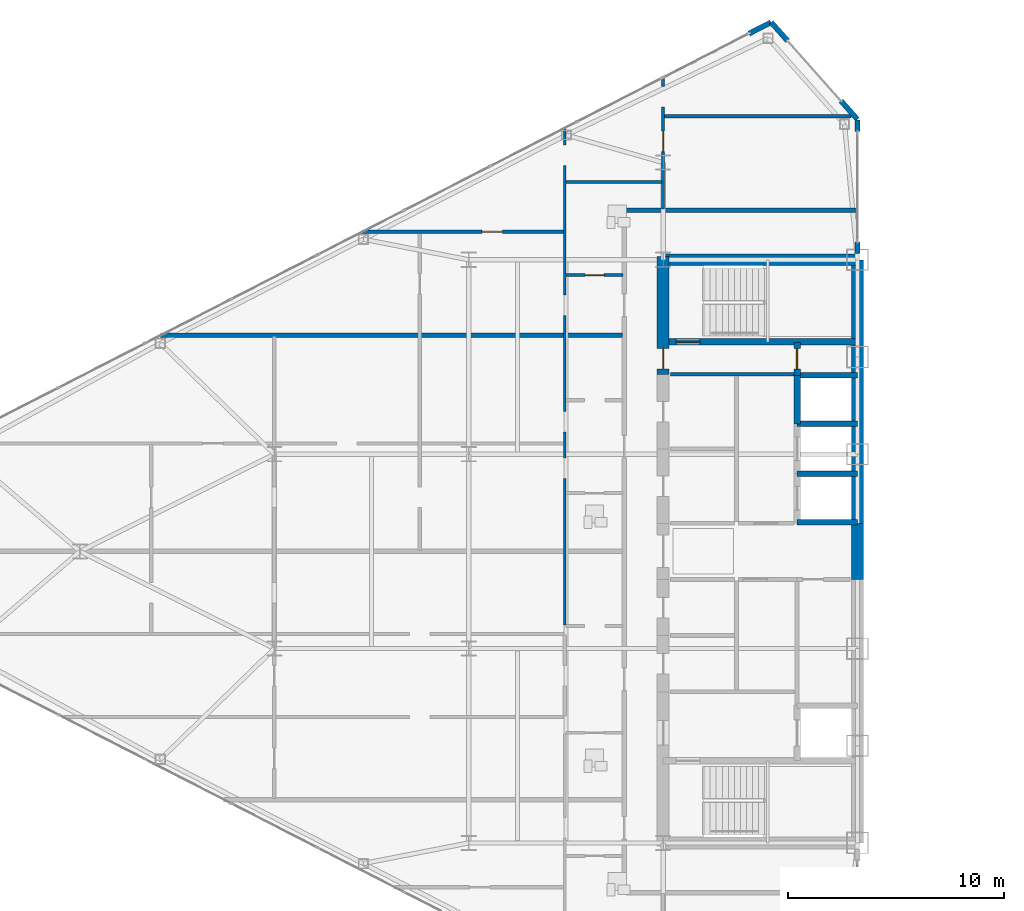
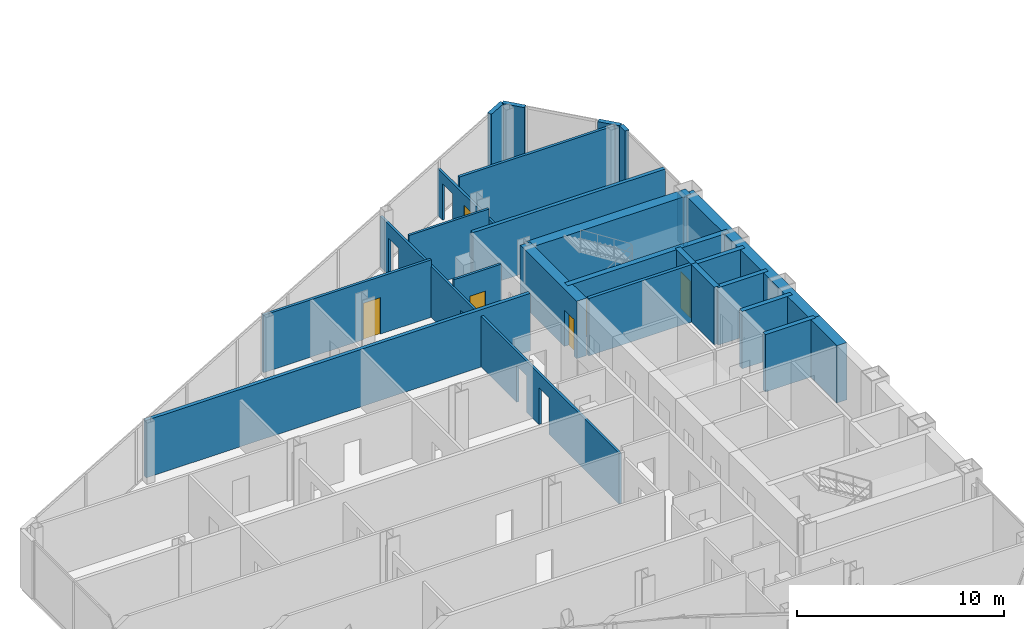
# One storey, part 17 of 23: 25 walls, 6 doors, 11 openings.
"""IFC4 building model written with IfcOpenShell, lengths in metres."""

from ifc_helpers import new_model, si_unit, direction, frame, frame_2d, origin, place, context, subcontext, project, spatial, rectangle, extrude, source, transform, mapped, material, layer, layer_set, type_object, type_shapes, element, fill, save


model = new_model("IFC4")

# Units and contexts
model_context = context("Model", 3, precision=1e-05, world=origin(), true_north=direction((0.0, 1.0)))
body_context = subcontext(model_context, "Body", "Model", "MODEL_VIEW")
ifc_project = project(units=[si_unit("LENGTHUNIT", "METRE"), si_unit("AREAUNIT", "SQUARE_METRE"), si_unit("VOLUMEUNIT", "CUBIC_METRE"), si_unit("PLANEANGLEUNIT", "RADIAN"), si_unit("MASSUNIT", "GRAM", prefix="KILO")], contexts=[model_context])

# Site, building, storey
site_placement = place(None, origin())
site = spatial("IfcSite", under=ifc_project, at=site_placement, CompositionType="ELEMENT")
building_placement = place(site_placement, origin())
building = spatial("IfcBuilding", under=site, at=building_placement, Name="Seokmaru Belvedere", CompositionType="ELEMENT")
storey_placement = place(building_placement, frame((0.0, 0.0, 147.60009765625)))
storey = spatial("IfcBuildingStorey", under=building, at=storey_placement, Name="L39", CompositionType="ELEMENT", Elevation=147.60009765625)

# Wall, opening, door
ifc_material_1 = material(Name="Fire-Rated Gypsum Shaftwall")
ifc_layer_1 = layer(ifc_material_1, 0.14990234375)
ifc_layer_set_1 = layer_set([ifc_layer_1], Name="Fire-Rated Gypsum Shaftwall")
wall_type_1 = type_object("IfcWallType", Name="Apartment Fire-Acoustic Room Partition 150", PredefinedType="PARTITIONING", material=ifc_layer_set_1)
wall_1_placement = place(storey_placement, frame((-50.43798828125, 14.800048828125, 0.0), z_axis=(0.0, 0.0, 1.0), x_axis=(1.0, 0.0, 0.0)))
wall_1 = element("IfcWall", 1, at=wall_1_placement, inside=storey, type_object=wall_type_1, Name="L39 Interior Partition 029", PredefinedType="PARTITIONING", context=body_context, shape_type="SweptSolid", body=[
    extrude(rectangle(XDim=9.337890625, YDim=0.14990234375, at=frame_2d((4.6689453125, 0.0))), origin(), (0.0, 0.0, 1.0), 3.3798828125),
])
opening_1_placement = place(wall_1_placement, frame((5.550537109375, 0.0, 0.0)))
opening_1 = element("IfcOpeningElement", 2, at=opening_1_placement, cuts=wall_1, Name="Opening D05", PredefinedType="OPENING", context=body_context, shape_type="SweptSolid", body=[
    extrude(rectangle(XDim=0.949951171875, YDim=2.14990234375, at=frame_2d((0.47509765625, 1.074951171875))), frame((0.0, 0.0849609375, 0.0), z_axis=(0.0, -1.0, 0.0), x_axis=(1.0, 0.0, 0.0)), (0.0, 0.0, 1.0), 0.169921875),
])
ifc_material_2 = material(Name="Engineered White Oak Timber", Category="wood")
door_type_1 = type_object("IfcDoorType", Name="Apartment Interior Fire-Rated Oak Door 950x2150", OperationType="NOTDEFINED", PredefinedType="DOOR", material=ifc_material_2)
shared_shape_1 = source(origin(), body_context, "Body", "SweptSolid", [
    extrude(rectangle(XDim=0.949951171875, YDim=2.14990234375, at=frame_2d((0.47509765625, 1.074951171875))), frame((0.0, 0.02490234375, 0.0), z_axis=(0.0, -1.0, 0.0), x_axis=(1.0, 0.0, 0.0)), (0.0, 0.0, 1.0), 0.050048828125),
])
type_shapes(door_type_1, [shared_shape_1])
door_1_placement = place(opening_1_placement, origin())
door_1 = element("IfcDoor", 3, at=door_1_placement, inside=storey, type_object=door_type_1, Name="L39 Interior Door 032", OperationType="SINGLE_SWING_LEFT", OverallHeight=2.14990234375, OverallWidth=0.949951171875, PredefinedType="DOOR", context=body_context, shape_type="MappedRepresentation", body=[
    mapped(shared_shape_1, transform((0.0, 0.0, 0.0), scale=1.0)),
])
fill(opening_1, door_1)

# Walls
wall_2_placement = place(storey_placement, frame((-36.449951171875, 20.14990234375, 0.0), z_axis=(0.0, 0.0, 1.0), x_axis=(1.0, 0.0, 0.0)))
element("IfcWall", 4, at=wall_2_placement, inside=storey, type_object=wall_type_1, Name="L39 Interior Partition 033", PredefinedType="PARTITIONING", context=body_context, shape_type="SweptSolid", body=[
    extrude(rectangle(XDim=8.6494140625, YDim=0.14990234375, at=frame_2d((4.32470703125, 0.0))), origin(), (0.0, 0.0, 1.0), 3.3798828125),
])
ifc_layer_2 = layer(ifc_material_1, 0.179931640625)
ifc_layer_set_2 = layer_set([ifc_layer_2], Name="Fire-Rated Gypsum Shaftwall")
wall_type_2 = type_object("IfcWallType", Name="Core Service Fire Partition 180", PredefinedType="PARTITIONING", material=ifc_layer_set_2)
wall_3_placement = place(storey_placement, frame((-36.14990234375, 8.199951171875, 0.0), z_axis=(0.0, 0.0, 1.0), x_axis=(1.0, 0.0, 0.0)))
element("IfcWall", 5, at=wall_3_placement, inside=storey, type_object=wall_type_2, Name="L39 West Smokeproof Vestibule Partition", PredefinedType="PARTITIONING", context=body_context, shape_type="SweptSolid", body=[
    extrude(rectangle(XDim=5.699951171875, YDim=0.179931640625, at=frame_2d((2.85009765625, 0.0))), origin(), (0.0, 0.0, 1.0), 3.3798828125),
])
ifc_material_3 = material(Name="Concrete C50 (50 MPa)", Category="concrete")
ifc_layer_3 = layer(ifc_material_3, 0.25)
ifc_layer_set_3 = layer_set([ifc_layer_3], Name="Concrete C50 (50 MPa)")
wall_type_3 = type_object("IfcWallType", Name="Hoistway Transverse Concrete Divider Wall 250", PredefinedType="SHEAR", material=ifc_layer_set_3)
for number, where, z_axis, x_axis, name in (
    (6, (-30.300048828125, 1.35009765625, 0.0), (0.0, 0.0, 1.0), (1.0, 0.0, 0.0), "L39 West Hoistway Divider Core Wall 2"),
    (7, (-30.300048828125, 3.60009765625, 0.0), (0.0, 0.0, 1.0), (1.0, 0.0, 0.0), "L39 West Hoistway Divider Core Wall 3"),
    (8, (-30.300048828125, 5.89990234375, 0.0), (0.0, 0.0, 1.0), (1.0, 0.0, 0.0), "L39 West Hoistway Divider Core Wall 4"),
    (9, (-30.300048828125, 8.14990234375, 0.0), (0.0, 0.0, 1.0), (1.0, 0.0, 0.0), "L39 West Hoistway Divider Core Wall 5"),
):
    element("IfcWall", number, at=place(storey_placement, frame(where, z_axis=z_axis, x_axis=x_axis)), inside=storey, type_object=wall_type_3, Name=name, PredefinedType="SHEAR", context=body_context, shape_type="SweptSolid", body=[
        extrude(rectangle(XDim=2.800048828125, YDim=0.25, at=frame_2d((1.39990234375, 0.0))), origin(), (0.0, 0.0, 1.0), 3.3798828125),
    ])
ifc_layer_4 = layer(ifc_material_1, 0.199951171875)
ifc_layer_set_4 = layer_set([ifc_layer_4], Name="Fire-Rated Gypsum Shaftwall")
wall_type_4 = type_object("IfcWallType", Name="Inter-Tenancy Fire Compartment Partition 200", PredefinedType="PARTITIONING", material=ifc_layer_set_4)
wall_4_placement = place(storey_placement, frame((-59.76708984375, 10.0, 0.0), z_axis=(0.0, 0.0, 1.0), x_axis=(1.0, 0.0, 0.0)))
element("IfcWall", 10, at=wall_4_placement, inside=storey, type_object=wall_type_4, Name="L39 Interior Partition 027", PredefinedType="PARTITIONING", context=body_context, shape_type="SweptSolid", body=[
    extrude(rectangle(XDim=21.38720703125, YDim=0.199951171875, at=frame_2d((10.693603515625, 0.0))), origin(), (0.0, 0.0, 1.0), 3.3798828125),
])
wall_5_placement = place(storey_placement, frame((-38.215087890625, 15.800048828125, 0.0), z_axis=(0.0, 0.0, 1.0), x_axis=(1.0, 0.0, 0.0)))
element("IfcWall", 11, at=wall_5_placement, inside=storey, type_object=wall_type_4, Name="L39 Interior Partition 030", PredefinedType="PARTITIONING", context=body_context, shape_type="SweptSolid", body=[
    extrude(rectangle(XDim=10.715087890625, YDim=0.199951171875, at=frame_2d((5.357421875, 0.0))), origin(), (0.0, 0.0, 1.0), 3.3798828125),
])

# Wall, opening, door
ifc_layer_5 = layer(ifc_material_3, 0.300048828125)
ifc_layer_set_5 = layer_set([ifc_layer_5], Name="Concrete C50 (50 MPa)")
wall_type_5 = type_object("IfcWallType", Name="Internal Core Stair and Hoistway Wall 300", PredefinedType="SHEAR", material=ifc_layer_set_5)
wall_6_placement = place(storey_placement, frame((-36.5, 9.699951171875, 0.0), z_axis=(0.0, 0.0, 1.0), x_axis=(1.0, 0.0, 0.0)))
wall_6 = element("IfcWall", 12, at=wall_6_placement, inside=storey, type_object=wall_type_5, Name="L39 West Stair ST-2 Enclosure Wall", PredefinedType="SHEAR", context=body_context, shape_type="SweptSolid", body=[
    extrude(rectangle(XDim=9.0, YDim=0.300048828125, at=frame_2d((4.5, 0.0))), origin(), (0.0, 0.0, 1.0), 3.3798828125),
])
opening_2_placement = place(wall_6_placement, frame((0.60009765625, 0.0, 0.0)))
opening_2 = element("IfcOpeningElement", 13, at=opening_2_placement, cuts=wall_6, Name="Opening D01", PredefinedType="OPENING", context=body_context, shape_type="SweptSolid", body=[
    extrude(rectangle(XDim=1.10009765625, YDim=2.199951171875, at=frame_2d((0.550048828125, 1.10009765625))), frame((0.0, 0.16015625, 0.0), z_axis=(0.0, -1.0, 0.0), x_axis=(1.0, 0.0, 0.0)), (0.0, 0.0, 1.0), 0.320068359375),
])
ifc_material_4 = material(Name="Fire-Rated Steel Leaf", Category="steel")
door_type_2 = type_object("IfcDoorType", Name="Special Escape Stair Smokeproof Fire Door 1100x2200", OperationType="NOTDEFINED", PredefinedType="DOOR", material=ifc_material_4)
shared_shape_2 = source(origin(), body_context, "Body", "SweptSolid", [
    extrude(rectangle(XDim=1.10009765625, YDim=2.199951171875, at=frame_2d((0.550048828125, 1.10009765625))), frame((0.0, 0.02490234375, 0.0), z_axis=(0.0, -1.0, 0.0), x_axis=(1.0, 0.0, 0.0)), (0.0, 0.0, 1.0), 0.050048828125),
])
type_shapes(door_type_2, [shared_shape_2])
door_2_placement = place(opening_2_placement, origin())
door_2 = element("IfcDoor", 14, at=door_2_placement, inside=storey, type_object=door_type_2, Name="L39 West Special Escape Stair ST-2 Door", OperationType="SINGLE_SWING_RIGHT", OverallHeight=2.199951171875, OverallWidth=1.10009765625, PredefinedType="DOOR", context=body_context, shape_type="MappedRepresentation", body=[
    mapped(shared_shape_2, transform((0.0, 0.0, 0.0), scale=1.0)),
])
fill(opening_2, door_2)

# Wall
wall_7_placement = place(storey_placement, frame((-30.300048828125, 5.89990234375, 0.0), z_axis=(0.0, 0.0, 1.0), x_axis=(0.0, 1.0, 0.0)))
element("IfcWall", 15, at=wall_7_placement, inside=storey, type_object=wall_type_5, Name="L39 West North Hoistway Wall OBS", PredefinedType="SHEAR", context=body_context, shape_type="SweptSolid", body=[
    extrude(rectangle(XDim=2.25, YDim=0.300048828125, at=frame_2d((1.125, 0.0))), origin(), (0.0, 0.0, 1.0), 3.3798828125),
])

# Wall, opening, door
wall_8_placement = place(storey_placement, frame((-30.300048828125, 8.14990234375, 0.0), z_axis=(0.0, 0.0, 1.0), x_axis=(0.0, 1.0, 0.0)))
wall_8 = element("IfcWall", 16, at=wall_8_placement, inside=storey, type_object=wall_type_5, Name="L39 West Electrical Riser Front Wall", PredefinedType="SHEAR", context=body_context, shape_type="SweptSolid", body=[
    extrude(rectangle(XDim=1.530029296875, YDim=0.300048828125, at=frame_2d((0.76513671875, 0.0))), origin(), (0.0, 0.0, 1.0), 3.3798828125),
])
opening_3_placement = place(wall_8_placement, frame((0.284912109375, 0.0, 0.0)))
opening_3 = element("IfcOpeningElement", 17, at=opening_3_placement, cuts=wall_8, Name="Opening D04", PredefinedType="OPENING", context=body_context, shape_type="SweptSolid", body=[
    extrude(rectangle(XDim=0.949951171875, YDim=2.14990234375, at=frame_2d((0.47509765625, 1.074951171875))), frame((0.0, 0.16015625, 0.0), z_axis=(0.0, -1.0, 0.0), x_axis=(1.0, 0.0, 0.0)), (0.0, 0.0, 1.0), 0.320068359375),
])
door_type_3 = type_object("IfcDoorType", Name="Core Service Room Fire Door 950x2150", OperationType="NOTDEFINED", PredefinedType="DOOR", material=ifc_material_4)
shared_shape_3 = source(origin(), body_context, "Body", "SweptSolid", [
    extrude(rectangle(XDim=0.949951171875, YDim=2.14990234375, at=frame_2d((0.47509765625, 1.074951171875))), frame((0.0, 0.02490234375, 0.0), z_axis=(0.0, -1.0, 0.0), x_axis=(1.0, 0.0, 0.0)), (0.0, 0.0, 1.0), 0.050048828125),
])
type_shapes(door_type_3, [shared_shape_3])
door_3_placement = place(opening_3_placement, origin())
door_3 = element("IfcDoor", 18, at=door_3_placement, inside=storey, type_object=door_type_3, Name="L39 West Electrical Riser Access Door", OperationType="SINGLE_SWING_LEFT", OverallHeight=2.14990234375, OverallWidth=0.949951171875, PredefinedType="DOOR", context=body_context, shape_type="MappedRepresentation", body=[
    mapped(shared_shape_3, transform((0.0, 0.0, 0.0), scale=1.0)),
])
fill(opening_3, door_3)

# Walls
ifc_layer_6 = layer(ifc_material_3, 0.550048828125)
ifc_layer_set_6 = layer_set([ifc_layer_6], Name="Concrete C50 (50 MPa)")
wall_type_6 = type_object("IfcWallType", Name="Mid-High Reinforced Concrete Core Wall 550", PredefinedType="SHEAR", material=ifc_layer_set_6)
wall_9_placement = place(storey_placement, frame((-27.5, 1.300048828125, 0.0), z_axis=(0.0, 0.0, 1.0), x_axis=(0.0, 1.0, 0.0)))
element("IfcWall", 19, at=wall_9_placement, inside=storey, type_object=wall_type_6, Name="L39 West Portal Spine Core Wall North", PredefinedType="SHEAR", context=body_context, shape_type="SweptSolid", body=[
    extrude(rectangle(XDim=12.199951171875, YDim=0.550048828125, at=frame_2d((6.10009765625, 0.0))), origin(), (0.0, 0.0, 1.0), 3.3798828125),
])
wall_10_placement = place(storey_placement, frame((-27.5, -1.300048828125, 0.0), z_axis=(0.0, 0.0, 1.0), x_axis=(0.0, 1.0, 0.0)))
element("IfcWall", 20, at=wall_10_placement, inside=storey, type_object=wall_type_6, Name="L39 West Portal Spine Core Wall Center", PredefinedType="SHEAR", context=body_context, shape_type="SweptSolid", body=[
    extrude(rectangle(XDim=2.60009765625, YDim=0.550048828125, at=frame_2d((1.300048828125, 0.0))), origin(), (0.0, 0.0, 1.0), 3.3798828125),
])
wall_11_placement = place(storey_placement, frame((-36.5, 13.5, 0.0), z_axis=(0.0, 0.0, 1.0), x_axis=(1.0, 0.0, 0.0)))
element("IfcWall", 21, at=wall_11_placement, inside=storey, type_object=wall_type_6, Name="L39 West North Core Wall", PredefinedType="SHEAR", context=body_context, shape_type="SweptSolid", body=[
    extrude(rectangle(XDim=9.0, YDim=0.550048828125, at=frame_2d((4.5, 0.0))), origin(), (0.0, 0.0, 1.0), 3.3798828125),
])

# Wall, opening, door
wall_12_placement = place(storey_placement, frame((-36.5, 8.199951171875, 0.0), z_axis=(0.0, 0.0, 1.0), x_axis=(0.0, 1.0, 0.0)))
wall_12 = element("IfcWall", 22, at=wall_12_placement, inside=storey, type_object=wall_type_6, Name="L39 West West Core Wall VST", PredefinedType="SHEAR", context=body_context, shape_type="SweptSolid", body=[
    extrude(rectangle(XDim=5.449951171875, YDim=0.550048828125, at=frame_2d((2.72509765625, 0.0))), origin(), (0.0, 0.0, 1.0), 3.3798828125),
])
opening_4_placement = place(wall_12_placement, frame((0.2451171875, 0.0, 0.0)))
opening_4 = element("IfcOpeningElement", 23, at=opening_4_placement, cuts=wall_12, Name="Opening D04", PredefinedType="OPENING", context=body_context, shape_type="SweptSolid", body=[
    extrude(rectangle(XDim=0.949951171875, YDim=2.14990234375, at=frame_2d((0.47509765625, 1.074951171875))), frame((0.0, 0.28515625, 0.0), z_axis=(0.0, -1.0, 0.0), x_axis=(1.0, 0.0, 0.0)), (0.0, 0.0, 1.0), 0.570068359375),
])
door_4_placement = place(opening_4_placement, frame((0.949951171875, 0.0, 0.0), z_axis=(0.0, 0.0, 1.0), x_axis=(-1.0, 0.0, 0.0)))
door_4 = element("IfcDoor", 24, at=door_4_placement, inside=storey, type_object=door_type_3, Name="L39 West Smokeproof Vestibule Door", OperationType="SINGLE_SWING_RIGHT", OverallHeight=2.14990234375, OverallWidth=0.949951171875, PredefinedType="DOOR", context=body_context, shape_type="MappedRepresentation", body=[
    mapped(shared_shape_3, transform((0.0, 0.0, 0.0), scale=1.0)),
])
fill(opening_4, door_4)

ifc_layer_7 = layer(ifc_material_1, 0.1298828125)
ifc_layer_set_7 = layer_set([ifc_layer_7], Name="Fire-Rated Gypsum Shaftwall")
wall_type_7 = type_object("IfcWallType", Name="Moisture-Resistant Fire-Rated Bathroom Partition 130", PredefinedType="PARTITIONING", material=ifc_layer_set_7)
wall_13_placement = place(storey_placement, frame((-41.0, 12.7900390625, 0.0), z_axis=(0.0, 0.0, 1.0), x_axis=(1.0, 0.0, 0.0)))
wall_13 = element("IfcWall", 25, at=wall_13_placement, inside=storey, type_object=wall_type_7, Name="L39 Interior Partition 028", PredefinedType="PARTITIONING", context=body_context, shape_type="SweptSolid", body=[
    extrude(rectangle(XDim=2.64990234375, YDim=0.1298828125, at=frame_2d((1.324951171875, 0.0))), origin(), (0.0, 0.0, 1.0), 3.3798828125),
])
opening_5_placement = place(wall_13_placement, frame((0.885009765625, 0.0, 0.0)))
opening_5 = element("IfcOpeningElement", 26, at=opening_5_placement, cuts=wall_13, Name="Opening D06", PredefinedType="OPENING", context=body_context, shape_type="SweptSolid", body=[
    extrude(rectangle(XDim=0.8798828125, YDim=2.10009765625, at=frame_2d((0.43994140625, 1.050048828125))), frame((0.0, 0.074951171875, 0.0), z_axis=(0.0, -1.0, 0.0), x_axis=(1.0, 0.0, 0.0)), (0.0, 0.0, 1.0), 0.14990234375),
])
door_type_4 = type_object("IfcDoorType", Name="Bathroom and Restroom Fire-Rated Door 880x2100", OperationType="NOTDEFINED", PredefinedType="DOOR", material=ifc_material_2)
shared_shape_4 = source(origin(), body_context, "Body", "SweptSolid", [
    extrude(rectangle(XDim=0.8798828125, YDim=2.10009765625, at=frame_2d((0.43994140625, 1.050048828125))), frame((0.0, 0.02490234375, 0.0), z_axis=(0.0, -1.0, 0.0), x_axis=(1.0, 0.0, 0.0)), (0.0, 0.0, 1.0), 0.050048828125),
])
type_shapes(door_type_4, [shared_shape_4])
door_5_placement = place(opening_5_placement, origin())
door_5 = element("IfcDoor", 27, at=door_5_placement, inside=storey, type_object=door_type_4, Name="L39 Interior Door 029", OperationType="SINGLE_SWING_LEFT", OverallHeight=2.10009765625, OverallWidth=0.8798828125, PredefinedType="DOOR", context=body_context, shape_type="MappedRepresentation", body=[
    mapped(shared_shape_4, transform((0.0, 0.0, 0.0), scale=1.0)),
])
fill(opening_5, door_5)

# Wall
wall_14_placement = place(storey_placement, frame((-41.0, 17.10009765625, 0.0), z_axis=(0.0, 0.0, 1.0), x_axis=(1.0, 0.0, 0.0)))
element("IfcWall", 28, at=wall_14_placement, inside=storey, type_object=wall_type_7, Name="L39 Interior Partition 032", PredefinedType="PARTITIONING", context=body_context, shape_type="SweptSolid", body=[
    extrude(rectangle(XDim=4.449951171875, YDim=0.1298828125, at=frame_2d((2.22509765625, 0.0))), origin(), (0.0, 0.0, 1.0), 3.3798828125),
])

# Wall, openings
wall_15_placement = place(storey_placement, frame((-41.050048828125, -3.39794921875, 0.0), z_axis=(0.0, 0.0, 1.0), x_axis=(0.0, 1.0, 0.0)))
wall_15 = element("IfcWall", 29, at=wall_15_placement, inside=storey, type_object=wall_type_7, Name="L39 Interior Partition 039", PredefinedType="PARTITIONING", context=body_context, shape_type="SweptSolid", body=[
    extrude(rectangle(XDim=23.031982421875, YDim=0.1298828125, at=frame_2d((11.51611328125, 0.0))), origin(), (0.0, 0.0, 1.0), 2.989990234375),
])
opening_6_placement = place(wall_15_placement, frame((6.77197265625, 0.0, 0.0)))
element("IfcOpeningElement", 30, at=opening_6_placement, cuts=wall_15, Name="L39 Cased Opening 021", PredefinedType="OPENING", context=body_context, shape_type="SweptSolid", body=[
    extrude(rectangle(XDim=0.949951171875, YDim=2.14990234375, at=frame_2d((0.47509765625, 1.074951171875))), frame((0.0, 0.074951171875, 0.0), z_axis=(0.0, -1.0, 0.0), x_axis=(1.0, 0.0, 0.0)), (0.0, 0.0, 1.0), 0.14990234375),
])
opening_7_placement = place(wall_15_placement, frame((8.924072265625, 0.0, 0.0)))
element("IfcOpeningElement", 31, at=opening_7_placement, cuts=wall_15, Name="L39 Cased Opening 022", PredefinedType="OPENING", context=body_context, shape_type="SweptSolid", body=[
    extrude(rectangle(XDim=0.949951171875, YDim=2.14990234375, at=frame_2d((0.47509765625, 1.074951171875))), frame((0.0, 0.074951171875, 0.0), z_axis=(0.0, -1.0, 0.0), x_axis=(1.0, 0.0, 0.0)), (0.0, 0.0, 1.0), 0.14990234375),
])
opening_8_placement = place(wall_15_placement, frame((14.320556640625, 0.0, 0.0)))
element("IfcOpeningElement", 32, at=opening_8_placement, cuts=wall_15, Name="L39 Cased Opening 030", PredefinedType="OPENING", context=body_context, shape_type="SweptSolid", body=[
    extrude(rectangle(XDim=0.949951171875, YDim=2.14990234375, at=frame_2d((0.47509765625, 1.074951171875))), frame((0.0, 0.074951171875, 0.0), z_axis=(0.0, -1.0, 0.0), x_axis=(1.0, 0.0, 0.0)), (0.0, 0.0, 1.0), 0.14990234375),
])
opening_9_placement = place(wall_15_placement, frame((21.272705078125, 0.0, 0.0)))
element("IfcOpeningElement", 33, at=opening_9_placement, cuts=wall_15, Name="L39 Cased Opening 033", PredefinedType="OPENING", context=body_context, shape_type="SweptSolid", body=[
    extrude(rectangle(XDim=0.949951171875, YDim=2.14990234375, at=frame_2d((0.47509765625, 1.074951171875))), frame((0.0, 0.074951171875, 0.0), z_axis=(0.0, -1.0, 0.0), x_axis=(1.0, 0.0, 0.0)), (0.0, 0.0, 1.0), 0.14990234375),
])

# Wall, openings, door
wall_16_placement = place(storey_placement, frame((-36.5, 15.85009765625, 0.0), z_axis=(0.0, 0.0, 1.0), x_axis=(0.0, 1.0, 0.0)))
wall_16 = element("IfcWall", 34, at=wall_16_placement, inside=storey, type_object=wall_type_7, Name="L39 Interior Partition 042", PredefinedType="PARTITIONING", context=body_context, shape_type="SweptSolid", body=[
    extrude(rectangle(XDim=6.118896484375, YDim=0.1298828125, at=frame_2d((3.0595703125, 0.0))), origin(), (0.0, 0.0, 1.0), 2.77978515625),
])
opening_10_placement = place(wall_16_placement, frame((2.65625, 0.0, 0.0)))
opening_10 = element("IfcOpeningElement", 35, at=opening_10_placement, cuts=wall_16, Name="Opening D05", PredefinedType="OPENING", context=body_context, shape_type="SweptSolid", body=[
    extrude(rectangle(XDim=0.949951171875, YDim=2.14990234375, at=frame_2d((0.47509765625, 1.074951171875))), frame((0.0, 0.074951171875, 0.0), z_axis=(0.0, -1.0, 0.0), x_axis=(1.0, 0.0, 0.0)), (0.0, 0.0, 1.0), 0.14990234375),
])
opening_11_placement = place(wall_16_placement, frame((4.717041015625, 0.0, 0.0)))
element("IfcOpeningElement", 36, at=opening_11_placement, cuts=wall_16, Name="L39 Cased Opening 035", PredefinedType="OPENING", context=body_context, shape_type="SweptSolid", body=[
    extrude(rectangle(XDim=0.949951171875, YDim=2.14990234375, at=frame_2d((0.47509765625, 1.074951171875))), frame((0.0, 0.074951171875, 0.0), z_axis=(0.0, -1.0, 0.0), x_axis=(1.0, 0.0, 0.0)), (0.0, 0.0, 1.0), 0.14990234375),
])
door_6_placement = place(opening_10_placement, origin())
door_6 = element("IfcDoor", 37, at=door_6_placement, inside=storey, type_object=door_type_1, Name="L39 Interior Door 034", OperationType="SINGLE_SWING_LEFT", OverallHeight=2.14990234375, OverallWidth=0.949951171875, PredefinedType="DOOR", context=body_context, shape_type="MappedRepresentation", body=[
    mapped(shared_shape_1, transform((0.0, 0.0, 0.0), scale=1.0)),
])
fill(opening_10, door_6)

# Walls
ifc_material_5 = material(Name="Anodised Bronze Aluminium", Category="aluminium")
ifc_layer_8 = layer(ifc_material_5, 0.239990234375)
ifc_layer_set_8 = layer_set([ifc_layer_8], Name="Anodised Bronze Aluminium")
wall_type_8 = type_object("IfcWallType", Name="Tower Corner Spandrel Closure Wall 240", PredefinedType="SOLIDWALL", material=ifc_layer_set_8)
wall_17_placement = place(storey_placement, frame((-27.5, 13.780029296875, 0.0), z_axis=(0.0, 0.0, 1.0), x_axis=(0.0, 1.0, 0.0)))
element("IfcWall", 38, at=wall_17_placement, inside=storey, type_object=wall_type_8, Name="L39 W Spine Closure Pier 2A", PredefinedType="SOLIDWALL", context=body_context, shape_type="SweptSolid", body=[
    extrude(rectangle(XDim=0.550048828125, YDim=0.239990234375, at=frame_2d((0.27490234375, 0.0))), origin(), (0.0, 0.0, 1.0), 2.8798828125),
])
wall_18_placement = place(storey_placement, frame((-27.5, 19.429931640625, 0.0), z_axis=(0.0, 0.0, 1.0), x_axis=(0.0, 1.0, 0.0)))
element("IfcWall", 39, at=wall_18_placement, inside=storey, type_object=wall_type_8, Name="L39 W Spine Closure Pier 2B", PredefinedType="SOLIDWALL", context=body_context, shape_type="SweptSolid", body=[
    extrude(rectangle(XDim=0.550048828125, YDim=0.239990234375, at=frame_2d((0.27490234375, 0.0))), origin(), (0.0, 0.0, 1.0), 3.3798828125),
])
for number, where, z_axis, x_axis, name in (
    (40, (-27.506591796875, 20.007568359375, 0.0), (0.0, 0.0, 1.0), (-0.664337252513, 0.747432950119, 0.0), "L39 W Corner Closure Pier 2A"),
    (41, (-30.736083984375, 23.640380859375, 0.0), (0.0, 0.0, 1.0), (-0.664337252513, 0.747432950119, 0.0), "L39 W Corner Closure Pier 2B"),
):
    element("IfcWall", number, at=place(storey_placement, frame(where, z_axis=z_axis, x_axis=x_axis)), inside=storey, type_object=wall_type_8, Name=name, PredefinedType="SOLIDWALL", context=body_context, shape_type="SweptSolid", body=[
        extrude(rectangle(XDim=1.139892578125, YDim=0.239990234375, at=frame_2d((0.56982421875, 0.0))), origin(), (0.0, 0.0, 1.0), 3.3798828125),
    ])
wall_19_placement = place(storey_placement, frame((-31.5087890625, 24.495361328125, 0.0), z_axis=(0.0, 0.0, 1.0), x_axis=(-0.889797395748, -0.456355776255, 0.0)))
element("IfcWall", 42, at=wall_19_placement, inside=storey, type_object=wall_type_8, Name="L39 W Corner Closure Pier 3A", PredefinedType="SOLIDWALL", context=body_context, shape_type="SweptSolid", body=[
    extrude(rectangle(XDim=1.14013671875, YDim=0.239990234375, at=frame_2d((0.570068359375, 0.0))), origin(), (0.0, 0.0, 1.0), 3.3798828125),
])

save(model, "model.ifc")
